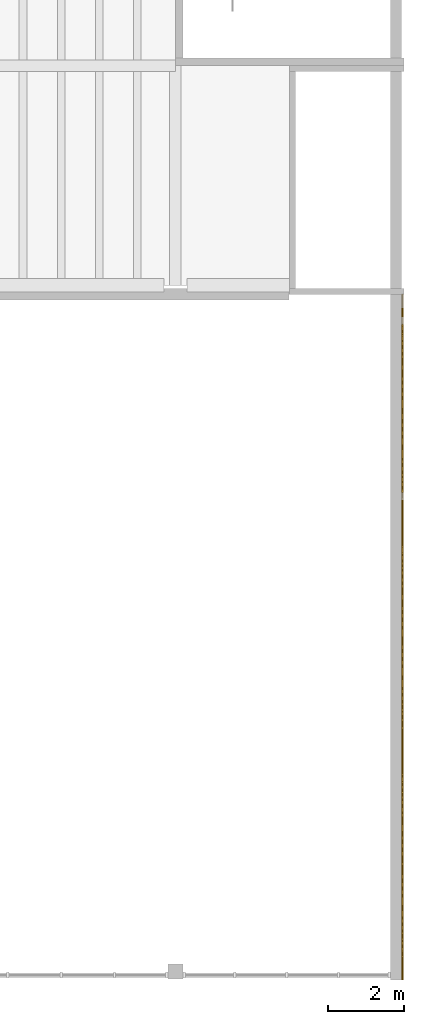
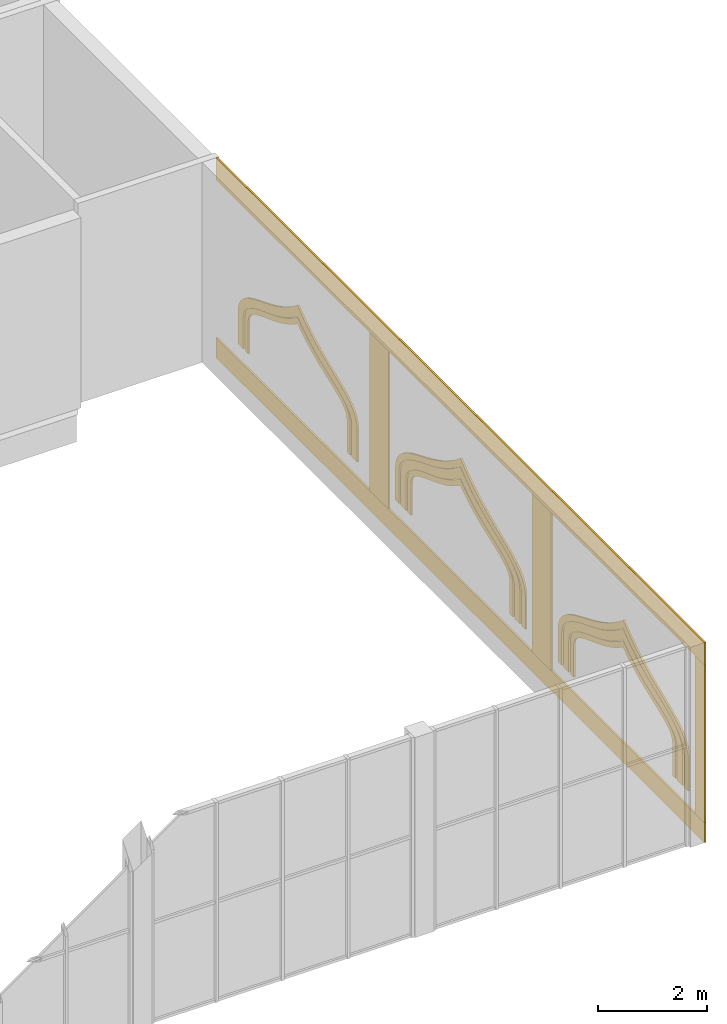
# One storey, part 59 of 70: 13 coverings.
"""IFC4 building model written with IfcOpenShell, lengths in metres."""

from ifc_helpers import new_model, si_unit, direction, frame, origin, origin_2d, place, context, subcontext, project, spatial, polyline, rectangle, outline, extrude, material, layer, layer_set, type_object, element, save


model = new_model("IFC4")

# Units and contexts
model_context = context("Model", 3, precision=1e-05, world=origin(), true_north=direction((0.0, 1.0)))
body_context = subcontext(model_context, "Body", "Model", "MODEL_VIEW")
ifc_project = project(units=[si_unit("LENGTHUNIT", "METRE"), si_unit("AREAUNIT", "SQUARE_METRE"), si_unit("VOLUMEUNIT", "CUBIC_METRE"), si_unit("PLANEANGLEUNIT", "RADIAN"), si_unit("MASSUNIT", "GRAM", prefix="KILO")], contexts=[model_context])

# Site, building, storey
site_placement = place(None, origin())
site = spatial("IfcSite", under=ifc_project, at=site_placement, CompositionType="ELEMENT")
building_placement = place(site_placement, origin())
building = spatial("IfcBuilding", under=site, at=building_placement, Name="Saffron Lane Theatres", CompositionType="ELEMENT")
storey_placement = place(building_placement, frame((0.0, 0.0, 12.0)))
storey = spatial("IfcBuildingStorey", under=building, at=storey_placement, Name="L02", CompositionType="ELEMENT", Elevation=12.0)

# Coverings
ifc_material_1 = material(Name="Face brick cladding, pale buff", Category="masonry")
ifc_layer_1 = layer(ifc_material_1, 0.0400390625)
ifc_layer_set_1 = layer_set([ifc_layer_1], Name="Face brick cladding, pale buff")
covering_type_1 = type_object("IfcCoveringType", Name="EX-FACE BRICK SKIN PALE BUFF 40", PredefinedType="CLADDING", material=ifc_layer_set_1)
covering_1_placement = place(storey_placement, frame((65.9599609375, 9.0, 0.0), z_axis=(0.0, 0.0, 1.0), x_axis=(0.0, 1.0, 0.0)))
element("IfcCovering", 1, at=covering_1_placement, inside=storey, type_object=covering_type_1, Name="Face brick cladding, pale buff L02", PredefinedType="CLADDING", context=body_context, shape_type="SweptSolid", body=[
    extrude(rectangle(XDim=18.0, YDim=0.0400390625, at=origin_2d()), origin(), (0.0, 0.0, 1.0), 0.449951171875),
])
covering_2_placement = place(storey_placement, frame((65.9599609375, 9.0, 4.0), z_axis=(0.0, 0.0, 1.0), x_axis=(0.0, 1.0, 0.0)))
element("IfcCovering", 2, at=covering_2_placement, inside=storey, type_object=covering_type_1, Name="Face brick cladding, pale buff L02", PredefinedType="CLADDING", context=body_context, shape_type="SweptSolid", body=[
    extrude(rectangle(XDim=18.0, YDim=0.0400390625, at=origin_2d()), origin(), (0.0, 0.0, 1.0), 0.5),
])
covering_3_placement = place(storey_placement, frame((65.9599609375, 0.175048828125, 0.4501953125), z_axis=(0.0, 0.0, 1.0), x_axis=(0.0, 1.0, 0.0)))
element("IfcCovering", 3, at=covering_3_placement, inside=storey, type_object=covering_type_1, Name="Face brick cladding, pale buff L02", PredefinedType="CLADDING", context=body_context, shape_type="SweptSolid", body=[
    extrude(rectangle(XDim=0.35009765625, YDim=0.0400390625, at=origin_2d()), origin(), (0.0, 0.0, 1.0), 3.550048828125),
])
for number, where, z_axis, x_axis, name in (
    (4, (65.9599609375, 6.0, 0.4501953125), (0.0, 0.0, 1.0), (0.0, 1.0, 0.0), "Face brick cladding, pale buff L02"),
    (5, (65.9599609375, 12.0, 0.4501953125), (0.0, 0.0, 1.0), (0.0, 1.0, 0.0), "Face brick cladding, pale buff L02"),
):
    element("IfcCovering", number, at=place(storey_placement, frame(where, z_axis=z_axis, x_axis=x_axis)), inside=storey, type_object=covering_type_1, Name=name, PredefinedType="CLADDING", context=body_context, shape_type="SweptSolid", body=[
        extrude(rectangle(XDim=0.699951171875, YDim=0.0400390625, at=origin_2d()), origin(), (0.0, 0.0, 1.0), 3.550048828125),
    ])
ifc_material_2 = material(Name="Face brick cladding, pale buff", Category="masonry")
ifc_layer_2 = layer(ifc_material_2, 0.0400390625)
ifc_layer_set_2 = layer_set([ifc_layer_2], Name="Face brick cladding, pale buff")
covering_type_2 = type_object("IfcCoveringType", Name="EX-NICHE FRAME RING FACE BRICK PALE BUFF", PredefinedType="CLADDING", material=ifc_layer_set_2)
covering_4_placement = place(storey_placement, frame((65.93994140625, 1.06005859375, 1.529052734375), z_axis=(-1.0, 0.0, 0.0), x_axis=(0.0, 0.125787163421, 0.992057251129)))
element("IfcCovering", 6, at=covering_4_placement, inside=storey, type_object=covering_type_2, Name="Court wall niche ring", PredefinedType="CLADDING", context=body_context, shape_type="SweptSolid", body=[
    extrude(outline(polyline([(0.0, 0.0), (0.10286783462729944, -1.734723475976807e-18), (0.2003058366133861, 0.02898943089024811), (0.28852048186243034, 0.08228128848391583), (0.36629033325911087, 0.1541241568385554), (0.4390324759984652, 0.24260070416356044), (0.507500747692938, 0.345892681090867), (0.5744445407107455, 0.46045224157820186), (0.6416479180870274, 0.5848227001853759), (0.7120787170630909, 0.7191199427867082), (0.7862758069545193, 0.8598303096728491), (0.8662040327603895, 1.0049820026922627), (0.9537702965426195, 1.154087142314066), (1.0502093622920772, 1.3032977380814992), (1.1557020119727, 1.4520986772832154), (1.2741507024021774, 1.5982724837141218), (1.4373464054824177, 1.7732259676027586), (1.3229792155464521, 1.9833728326633073), (1.244760306386786, 2.1544829615301575), (1.1797431160295304, 2.3249035694448104), (1.123595251063273, 2.4934613119297864), (1.0760130904972982, 2.6597024957871276), (1.0348405776399026, 2.8202090671537974), (0.9981093909157794, 2.974984502606025), (0.9634247487321284, 3.122609779612776), (0.9293879085859198, 3.259816916518256), (0.8931538722626247, 3.387458833357453), (0.8526314791601582, 3.50457020079729), (0.8042728832362467, 3.6084016264695515), (0.7468943102847225, 3.6973805390597287), (0.6747715775436027, 3.7710022555851634), (0.5876520538068722, 3.8233925210766304), (0.4880394533891911, 3.8490658776732425), (-0.2351741579078327, 3.9407652111630567), (-0.2502526484448383, 3.8218442857957298), (0.46496831410040995, 3.7311583742768346), (0.5400026794337924, 3.7115545403476755), (0.6001700459508014, 3.6756247044444676), (0.6527671677279272, 3.6226897753437015), (0.698940156062184, 3.5501434797319464), (0.7410530827896775, 3.4591626386629097), (0.77859431177529, 3.351534791747961), (0.8135356411705575, 3.229224783986177), (0.846849353461016, 3.0940780979260873), (0.8816568346714453, 2.9474216268286426), (0.9185073838461169, 2.7916466757104144), (0.960037984055158, 2.6281415573457427), (1.0091585296027163, 2.4585060762296007), (1.0668720127310223, 2.284827916387843), (1.1349966828081395, 2.107860915432915), (1.2162002326608894, 1.9292355876164828), (1.2905723102225393, 1.7918360801596331), (1.1842620856985966, 1.6773460511968898), (1.0610475886877535, 1.5246397580306266), (0.9510348104793215, 1.3712439439121653), (0.8516788972732567, 1.2164969004991457), (0.7617757948353858, 1.0644888197256537), (0.6807524475172019, 0.9165228382484054), (0.6061903171216689, 0.7748743752096529), (0.5358823571723834, 0.6415459385176266), (0.4698934637589638, 0.5189902527022867), (0.40553218745035335, 0.4092712451852531), (0.3423176018681286, 0.31441865705522143), (0.2788306844812543, 0.23682726990499206), (0.21601300801857182, 0.17810036480576727), (0.15186901772430933, 0.13996753843175677), (0.08463840716756255, 0.12019103454986238), (0.007085841785230041, 0.11993434733824601), (-0.7081351207600182, 0.21062025885714114), (-0.7232136112970238, 0.09169933348981403), (0.0, 0.0)])), origin(), (0.0, 0.0, -1.0), 0.0400390625),
])
covering_5_placement = place(storey_placement, frame((65.93994140625, 0.800048828125, 1.531005859375), z_axis=(-1.0, 0.0, 0.0), x_axis=(0.0, 0.124981281942, 0.992159099724)))
element("IfcCovering", 7, at=covering_5_placement, inside=storey, type_object=covering_type_2, Name="Court wall niche ring", PredefinedType="CLADDING", context=body_context, shape_type="SweptSolid", body=[
    extrude(outline(polyline([(0.0, 0.0), (0.12697213837489085, 0.0), (0.24997852453431715, 0.03298080651064107), (0.3595056719254136, 0.09374300291988652), (0.45676095681453616, 0.17819737668643526), (0.5452500891383669, 0.27901235606536234), (0.6263959139448547, 0.39576263666424205), (0.7061301600449148, 0.5247481641551519), (0.7862990991553347, 0.664998155443681), (0.8685354119348959, 0.8138462430364772), (0.9556542754712098, 0.9701995918059837), (1.0495611097740505, 1.131603547593268), (1.1510112291562355, 1.2962404739662412), (1.2636056380264804, 1.461442125707965), (1.3880691376893162, 1.6251486400436455), (1.5262174868532434, 1.786147007536166), (1.7363042432154532, 1.9986165951301107), (1.5855958009789675, 2.2575194704419133), (1.491569261797464, 2.446780394502173), (1.4115937282164914, 2.6362398878317443), (1.3434872854281097, 2.824204243755272), (1.286036923995202, 3.0088577035642547), (1.2350924053598944, 3.1885084383069255), (1.1894712330933568, 3.3615829156174892), (1.146718753036656, 3.526175715486171), (1.1038367100524615, 3.681926314984293), (1.0585821633162598, 3.826656554751089), (1.0089257630615434, 3.959883859824733), (0.9482034682785188, 4.079494852308206), (0.874931407902664, 4.18543038390852), (0.7838951435332473, 4.2714573511790705), (0.6729108826387414, 4.333913723694567), (0.5499054353411086, 4.365403148246339), (-0.1753202347204572, 4.45675909505642), (-0.20031038850718275, 4.25837572038026), (0.5130461907617923, 4.1685149109762225), (0.5988745887630316, 4.14663004257128), (0.6639156477958518, 4.110138831814989), (0.7223673053314565, 4.054546008440391), (0.7761044683713332, 3.977154691945845), (0.8252797019569147, 3.8791760140448814), (0.8698930060882013, 3.7606099747375006), (0.9121586863050064, 3.625360830791697), (0.953743691721572, 3.474941088556692), (0.9964961717782725, 3.3103482886880107), (1.0422375183543697, 3.1362743929983368), (1.0946011265904527, 2.9522617063633723), (1.1541038399038068, 2.7604597528591834), (1.2250789749020257, 2.5640137194937744), (1.3086480019973663, 2.3640126859475283), (1.4091728730821225, 2.16187574182122), (1.4863266575429295, 2.0301060196818823), (1.378903968861815, 1.9215872098569335), (1.2313890650156947, 1.750695586216104), (1.1008300051589897, 1.577668051995212), (0.9833530455319921, 1.404961139076778), (0.8782638978384575, 1.2348769365783012), (0.7817784796199506, 1.0686303316604855), (0.6942953377077843, 0.9113385905284419), (0.6120590249282231, 0.7624905029356456), (0.5344686697334693, 0.6270831607776483), (0.4599812527660143, 0.5065412868259859), (0.38735700702762876, 0.4027435435293195), (0.3154190692602435, 0.32002136977165624), (0.24416743946385833, 0.2583747655529961), (0.17375468267990626, 0.2190148625868687), (0.10169563174116798, 0.19979401452079415), (0.0131210629941348, 0.1998785120822032), (-0.7002355162748403, 0.28973932148624076), (-0.7252256700615658, 0.09135594681008097), (0.0, 0.0)])), origin(), (0.0, 0.0, -1.0), 0.0400390625),
])
covering_6_placement = place(storey_placement, frame((65.93994140625, 0.60009765625, 1.529052734375), z_axis=(-1.0, 0.0, 0.0), x_axis=(0.0, 0.1142904069, 0.993447383051)))
element("IfcCovering", 8, at=covering_6_placement, inside=storey, type_object=covering_type_2, Name="Court wall niche ring", PredefinedType="CLADDING", context=body_context, shape_type="SweptSolid", body=[
    extrude(outline(polyline([(0.0, 0.0), (0.1388492792656847, 0.0), (0.2696088548128292, 0.03435280127758979), (0.38778420831120713, 0.09816895170466255), (0.4935728066597587, 0.1867564660520517), (0.5907072035243214, 0.2962454223763962), (0.682649508774358, 0.42255126080070415), (0.7725527536549033, 0.5653112432171398), (0.8628530787126653, 0.7200673397441939), (0.9554908108676652, 0.8865963269308906), (1.0550849584516353, 1.060189048513373), (1.1614487864623173, 1.2413584891530183), (1.2782032368400602, 1.4252645634464545), (1.4071770247793973, 1.6107138844826956), (1.5503297946143773, 1.7955149989593715), (1.7109648241435755, 1.9763388725258713), (1.9322951685448566, 2.193432264117283), (1.7660452106718798, 2.4551145400411314), (1.6506687358280459, 2.6676919495089537), (1.5532209675803823, 2.8801727719066417), (1.4697289577773855, 3.090065060824744), (1.3977866151830554, 3.2956796157255868), (1.3353420011518824, 3.496269496600136), (1.2777696682141262, 3.6879433177116665), (1.2253679630975327, 3.871158257858812), (1.1725691778037226, 4.042377083895339), (1.1174329854126743, 4.201823019272223), (1.0565745457110323, 4.345707704460884), (0.9868408274537619, 4.474393877569155), (0.9039326328302404, 4.584689872523951), (0.803336126096215, 4.673674467048558), (0.6837935289606095, 4.736823093502039), (0.5485716307732833, 4.768353405952386), (-0.17565539212467307, 4.851671559029142), (-0.19164377180082215, 4.712695643382615), (0.5245794025520463, 4.630298287041135), (0.6344268042255539, 4.604636175696251), (0.7236754034085255, 4.557997499097641), (0.800384854508793, 4.489946542240035), (0.8682683937781672, 4.398581613031465), (0.9308332050521732, 4.284482233892733), (0.9867721433150001, 4.151239297453483), (1.0388368668757932, 3.9992734940636265), (1.0910282268174285, 3.831319310997622), (1.14354154365951, 3.649074534310487), (1.2006202093499159, 3.4552457483453045), (1.2650523706465087, 3.252706955033389), (1.3383490786020484, 3.0417758185165145), (1.424324449297152, 2.8256998107305122), (1.5258138498350813, 2.605627244620307), (1.6453628861086955, 2.384460025048585), (1.7535425510378928, 2.2139967245384384), (1.609479716364319, 2.0725524726551585), (1.442830531934789, 1.8843107121023825), (1.2940177597899682, 1.6930339711680689), (1.1612212702526687, 1.5021264074796), (1.0420521431215808, 1.314320361932094), (0.9331985150807832, 1.1307340981597673), (0.8335957819794677, 0.9549306058608891), (0.7410696615499556, 0.789371782134203), (0.6521022380600401, 0.6376571051266956), (0.5668888320293253, 0.5014843608933854), (0.4821540685906067, 0.384425124649887), (0.39531370702297125, 0.28751395123630025), (0.3085956890775053, 0.21516379656807177), (0.21829751039907963, 0.16509735216938012), (0.12078964352999957, 0.13994393272720115), (0.007984531131061172, 0.1398967123818024), (-0.7082386432218073, 0.22229406872328286), (-0.7242270228979564, 0.08331815307675605), (0.0, 0.0)])), origin(), (0.0, 0.0, -1.0), 0.0400390625),
])
covering_7_placement = place(storey_placement, frame((65.93994140625, 7.06005859375, 1.529052734375), z_axis=(-1.0, 0.0, 0.0), x_axis=(0.0, 0.125787163421, 0.992057251129)))
element("IfcCovering", 9, at=covering_7_placement, inside=storey, type_object=covering_type_2, Name="Court wall niche ring", PredefinedType="CLADDING", context=body_context, shape_type="SweptSolid", body=[
    extrude(outline(polyline([(0.0, 0.0), (0.10286783462729944, -1.734723475976807e-18), (0.2003058366133861, 0.02898943089024811), (0.28852048186243034, 0.08228128848391583), (0.36629033325911087, 0.1541241568385554), (0.4390324759984652, 0.24260070416356044), (0.507500747692938, 0.345892681090867), (0.5744445407107455, 0.46045224157820186), (0.6416479180870274, 0.5848227001853759), (0.7120787170630909, 0.7191199427867082), (0.7862758069545193, 0.8598303096728491), (0.8662040327603895, 1.0049820026922627), (0.9537702965426195, 1.154087142314066), (1.0502093622920772, 1.3032977380814992), (1.1557020119727, 1.4520986772832154), (1.2741507024021774, 1.5982724837141218), (1.4373464054824177, 1.7732259676027586), (1.3229792155464521, 1.9833728326633073), (1.244760306386786, 2.1544829615301575), (1.1797431160295304, 2.3249035694448104), (1.123595251063273, 2.4934613119297864), (1.0760130904972982, 2.6597024957871276), (1.0348405776399026, 2.8202090671537974), (0.9981093909157794, 2.974984502606025), (0.9634247487321284, 3.122609779612776), (0.9293879085859198, 3.259816916518256), (0.8931538722626247, 3.387458833357453), (0.8526314791601582, 3.50457020079729), (0.8042728832362467, 3.6084016264695515), (0.7468943102847225, 3.6973805390597287), (0.6747715775436027, 3.7710022555851634), (0.5876520538068722, 3.8233925210766304), (0.4880394533891911, 3.8490658776732425), (-0.2351741579078327, 3.9407652111630567), (-0.2502526484448383, 3.8218442857957298), (0.46496831410040995, 3.7311583742768346), (0.5400026794337924, 3.7115545403476755), (0.6001700459508014, 3.6756247044444676), (0.6527671677279272, 3.6226897753437015), (0.698940156062184, 3.5501434797319464), (0.7410530827896775, 3.4591626386629097), (0.77859431177529, 3.351534791747961), (0.8135356411705575, 3.229224783986177), (0.846849353461016, 3.0940780979260873), (0.8816568346714453, 2.9474216268286426), (0.9185073838461169, 2.7916466757104144), (0.960037984055158, 2.6281415573457427), (1.0091585296027163, 2.4585060762296007), (1.0667491737042443, 2.283859110478537), (1.1349966828081395, 2.107860915432915), (1.2162002326608894, 1.9292355876164828), (1.2905723102225393, 1.7918360801596331), (1.1842620856985966, 1.6773460511968898), (1.0610475886877535, 1.5246397580306266), (0.9510348104793215, 1.3712439439121653), (0.8516788972732567, 1.2164969004991457), (0.7617757948353858, 1.0644888197256537), (0.6807524475172019, 0.9165228382484054), (0.6061903171216689, 0.7748743752096529), (0.5358823571723834, 0.6415459385176266), (0.4698934637589638, 0.5189902527022867), (0.40553218745035335, 0.4092712451852531), (0.3423176018681286, 0.31441865705522143), (0.2788306844812543, 0.23682726990499206), (0.21601300801857182, 0.17810036480576727), (0.15186901772430933, 0.13996753843175677), (0.08463840716756255, 0.12019103454986238), (0.007085841785230041, 0.11993434733824601), (-0.7081351207600182, 0.21062025885714114), (-0.7232136112970238, 0.09169933348981403), (0.0, 0.0)])), origin(), (0.0, 0.0, -1.0), 0.0400390625),
])
covering_8_placement = place(storey_placement, frame((65.93994140625, 6.800048828125, 1.531005859375), z_axis=(-1.0, 0.0, 0.0), x_axis=(0.0, 0.124981281942, 0.992159099724)))
element("IfcCovering", 10, at=covering_8_placement, inside=storey, type_object=covering_type_2, Name="Court wall niche ring", PredefinedType="CLADDING", context=body_context, shape_type="SweptSolid", body=[
    extrude(outline(polyline([(0.0, 0.0), (0.12697213837489085, 0.0), (0.24997852453431715, 0.03298080651064107), (0.3595056719254136, 0.09374300291988652), (0.45676095681453616, 0.17819737668643526), (0.5452500891383669, 0.27901235606536234), (0.6263959139448547, 0.39576263666424205), (0.7061301600449148, 0.5247481641551519), (0.7862990991553347, 0.664998155443681), (0.8685354119348959, 0.8138462430364772), (0.9556542754712098, 0.9701995918059837), (1.0495611097740505, 1.131603547593268), (1.1510112291562355, 1.2962404739662412), (1.2636056380264804, 1.461442125707965), (1.3880691376893162, 1.6251486400436455), (1.526095434820097, 1.7851781021653423), (1.7363042432154532, 1.9986165951301107), (1.5855958009789675, 2.2575194704419133), (1.491569261797464, 2.446780394502173), (1.4115937282164914, 2.6362398878317443), (1.3434872854281097, 2.824204243755272), (1.286036923995202, 3.0088577035642547), (1.2350924053598944, 3.1885084383069255), (1.1894712330933568, 3.3615829156174892), (1.146718753036656, 3.526175715486171), (1.1038367100524615, 3.681926314984293), (1.0585821633162598, 3.826656554751089), (1.0089257630615434, 3.959883859824733), (0.9482034682785188, 4.079494852308206), (0.874931407902664, 4.18543038390852), (0.7838951435332473, 4.2714573511790705), (0.6729108826387414, 4.333913723694567), (0.5499054353411086, 4.365403148246339), (-0.1753202347204572, 4.45675909505642), (-0.20031038850718275, 4.25837572038026), (0.5130461907617923, 4.1685149109762225), (0.5988745887630316, 4.14663004257128), (0.6639156477958518, 4.110138831814989), (0.7223673053314565, 4.054546008440391), (0.7761044683713332, 3.977154691945845), (0.8252797019569147, 3.8791760140448814), (0.8698930060882013, 3.7606099747375006), (0.9121586863050064, 3.625360830791697), (0.953743691721572, 3.474941088556692), (0.9964961717782725, 3.3103482886880107), (1.0422375183543697, 3.1362743929983368), (1.0946011265904527, 2.9522617063633723), (1.1541038399038068, 2.7604597528591834), (1.2250789749020257, 2.5640137194937744), (1.3086480019973663, 2.3640126859475283), (1.4091728730821225, 2.16187574182122), (1.4863266575429295, 2.0301060196818823), (1.378903968861815, 1.9215872098569335), (1.2313890650156947, 1.750695586216104), (1.1008300051589897, 1.577668051995212), (0.9833530455319921, 1.404961139076778), (0.8781418458053111, 1.2339080312074775), (0.7817784796199506, 1.0686303316604855), (0.6942953377077843, 0.9113385905284419), (0.6120590249282231, 0.7624905029356456), (0.5344686697334693, 0.6270831607776483), (0.4599812527660143, 0.5065412868259859), (0.38735700702762876, 0.4027435435293195), (0.3154190692602435, 0.32002136977165624), (0.24416743946385833, 0.2583747655529961), (0.17375468267990626, 0.2190148625868687), (0.10169563174116798, 0.19979401452079415), (0.0131210629941348, 0.1998785120822032), (-0.7002355162748403, 0.28973932148624076), (-0.7252256700615658, 0.09135594681008097), (0.0, 0.0)])), origin(), (0.0, 0.0, -1.0), 0.0400390625),
])
covering_9_placement = place(storey_placement, frame((65.93994140625, 6.60009765625, 1.529052734375), z_axis=(-1.0, 0.0, 0.0), x_axis=(0.0, 0.1142904069, 0.993447383051)))
element("IfcCovering", 11, at=covering_9_placement, inside=storey, type_object=covering_type_2, Name="Court wall niche ring", PredefinedType="CLADDING", context=body_context, shape_type="SweptSolid", body=[
    extrude(outline(polyline([(0.0, 0.0), (0.1388492792656847, 0.0), (0.2696088548128292, 0.03435280127758979), (0.38778420831120713, 0.09816895170466255), (0.4935728066597587, 0.1867564660520517), (0.5907072035243214, 0.2962454223763962), (0.682649508774358, 0.42255126080070415), (0.7725527536549033, 0.5653112432171398), (0.8628530787126653, 0.7200673397441939), (0.9554908108676652, 0.8865963269308906), (1.0550849584516353, 1.060189048513373), (1.1613371747368293, 1.2403883256930075), (1.2782032368400602, 1.4252645634464545), (1.4071770247793973, 1.6107138844826956), (1.5503297946143773, 1.7955149989593715), (1.7109648241435755, 1.9763388725258713), (1.9322951685448566, 2.193432264117283), (1.7660452106718798, 2.4551145400411314), (1.6506687358280459, 2.6676919495089537), (1.5532209675803823, 2.8801727719066417), (1.4697289577773855, 3.090065060824744), (1.3977866151830554, 3.2956796157255868), (1.3353420011518824, 3.496269496600136), (1.2777696682141262, 3.6879433177116665), (1.2253679630975327, 3.871158257858812), (1.1725691778037226, 4.042377083895339), (1.1174329854126743, 4.201823019272223), (1.0565745457110323, 4.345707704460884), (0.9868408274537619, 4.474393877569155), (0.9039326328302404, 4.584689872523951), (0.803336126096215, 4.673674467048558), (0.6837935289606095, 4.736823093502039), (0.5485716307732833, 4.768353405952386), (-0.17565539212467307, 4.851671559029142), (-0.19164377180082215, 4.712695643382615), (0.5245794025520463, 4.630298287041135), (0.6344268042255539, 4.604636175696251), (0.7236754034085255, 4.557997499097641), (0.8002453398519331, 4.488733837915022), (0.8682683937781672, 4.398581613031465), (0.9308332050521732, 4.284482233892733), (0.9867721433150001, 4.151239297453483), (1.0388368668757932, 3.9992734940636265), (1.0910282268174285, 3.831319310997622), (1.14354154365951, 3.649074534310487), (1.2006202093499159, 3.4552457483453045), (1.2650523706465087, 3.252706955033389), (1.3383490786020484, 3.0417758185165145), (1.424324449297152, 2.8256998107305122), (1.5258138498350813, 2.605627244620307), (1.6453628861086955, 2.384460025048585), (1.7535425510378928, 2.2139967245384384), (1.609479716364319, 2.0725524726551585), (1.442830531934789, 1.8843107121023825), (1.2940177597899682, 1.6930339711680689), (1.1612212702526687, 1.5021264074796), (1.0419405313960928, 1.3133501984720835), (0.9331985150807832, 1.1307340981597673), (0.8335957819794677, 0.9549306058608891), (0.7410696615499556, 0.789371782134203), (0.6521022380600401, 0.6376571051266956), (0.5668888320293253, 0.5014843608933854), (0.4821540685906067, 0.384425124649887), (0.39531370702297125, 0.28751395123630025), (0.3084561744206454, 0.21395109224305847), (0.21829751039907963, 0.16509735216938012), (0.12078964352999957, 0.13994393272720115), (0.007984531131061172, 0.1398967123818024), (-0.7082386432218073, 0.22229406872328286), (-0.7242270228979564, 0.08331815307675605), (0.0, 0.0)])), origin(), (0.0, 0.0, -1.0), 0.0400390625),
])
covering_10_placement = place(storey_placement, frame((65.93994140625, 13.06005859375, 1.529052734375), z_axis=(-1.0, 0.0, 0.0), x_axis=(0.0, 0.125787163421, 0.992057251129)))
element("IfcCovering", 12, at=covering_10_placement, inside=storey, type_object=covering_type_2, Name="Court wall niche ring", PredefinedType="CLADDING", context=body_context, shape_type="SweptSolid", body=[
    extrude(outline(polyline([(0.0, 0.0), (0.10286783462729944, -1.734723475976807e-18), (0.2003058366133861, 0.02898943089024811), (0.28852048186243034, 0.08228128848391583), (0.36629033325911087, 0.1541241568385554), (0.4390324759984652, 0.24260070416356044), (0.507500747692938, 0.345892681090867), (0.5744445407107455, 0.46045224157820186), (0.6416479180870274, 0.5848227001853759), (0.7120787170630909, 0.7191199427867082), (0.7862758069545193, 0.8598303096728491), (0.8662040327603895, 1.0049820026922627), (0.9537702965426195, 1.154087142314066), (1.0502093622920772, 1.3032977380814992), (1.1557020119727, 1.4520986772832154), (1.2741507024021774, 1.5982724837141218), (1.4373464054824177, 1.7732259676027586), (1.3229792155464521, 1.9833728326633073), (1.244760306386786, 2.1544829615301575), (1.1797431160295304, 2.3249035694448104), (1.123595251063273, 2.4934613119297864), (1.0760130904972982, 2.6597024957871276), (1.0348405776399026, 2.8202090671537974), (0.9981093909157794, 2.974984502606025), (0.9634247487321284, 3.122609779612776), (0.9293879085859198, 3.259816916518256), (0.8931538722626247, 3.387458833357453), (0.8526314791601582, 3.50457020079729), (0.8042728832362467, 3.6084016264695515), (0.7468943102847225, 3.6973805390597287), (0.6747715775436027, 3.7710022555851634), (0.5876520538068722, 3.8233925210766304), (0.4880394533891911, 3.8490658776732425), (-0.2351741579078327, 3.9407652111630567), (-0.2502526484448383, 3.8218442857957298), (0.46496831410040995, 3.7311583742768346), (0.5400026794337924, 3.7115545403476755), (0.6001700459508014, 3.6756247044444676), (0.6527671677279272, 3.6226897753437015), (0.698940156062184, 3.5501434797319464), (0.7410530827896775, 3.4591626386629097), (0.77859431177529, 3.351534791747961), (0.8135356411705575, 3.229224783986177), (0.846849353461016, 3.0940780979260873), (0.8816568346714453, 2.9474216268286426), (0.9185073838461169, 2.7916466757104144), (0.960037984055158, 2.6281415573457427), (1.0091585296027163, 2.4585060762296007), (1.0667491737042443, 2.283859110478537), (1.1349966828081395, 2.107860915432915), (1.2162002326608894, 1.9292355876164828), (1.2905723102225393, 1.7918360801596331), (1.1842620856985966, 1.6773460511968898), (1.0610475886877535, 1.5246397580306266), (0.9510348104793215, 1.3712439439121653), (0.8516788972732567, 1.2164969004991457), (0.7617757948353858, 1.0644888197256537), (0.6807524475172019, 0.9165228382484054), (0.6061903171216689, 0.7748743752096529), (0.5358823571723834, 0.6415459385176266), (0.4698934637589638, 0.5189902527022867), (0.40553218745035335, 0.4092712451852531), (0.3423176018681286, 0.31441865705522143), (0.2788306844812543, 0.23682726990499206), (0.21601300801857182, 0.17810036480576727), (0.15186901772430933, 0.13996753843175677), (0.08463840716756255, 0.12019103454986238), (0.007085841785230041, 0.11993434733824601), (-0.7081351207600182, 0.21062025885714114), (-0.7232136112970238, 0.09169933348981403), (0.0, 0.0)])), origin(), (0.0, 0.0, -1.0), 0.0400390625),
])
covering_11_placement = place(storey_placement, frame((65.93994140625, 12.800048828125, 1.531005859375), z_axis=(-1.0, 0.0, 0.0), x_axis=(0.0, 0.124981281942, 0.992159099724)))
element("IfcCovering", 13, at=covering_11_placement, inside=storey, type_object=covering_type_2, Name="Court wall niche ring", PredefinedType="CLADDING", context=body_context, shape_type="SweptSolid", body=[
    extrude(outline(polyline([(0.0, 0.0), (0.12697213837489085, 0.0), (0.24997852453431715, 0.03298080651064107), (0.3595056719254136, 0.09374300291988652), (0.45676095681453616, 0.17819737668643526), (0.5452500891383669, 0.27901235606536234), (0.6263959139448547, 0.39576263666424205), (0.7061301600449148, 0.5247481641551519), (0.7862990991553347, 0.664998155443681), (0.8685354119348959, 0.8138462430364772), (0.9556542754712098, 0.9701995918059837), (1.0495611097740505, 1.131603547593268), (1.1510112291562355, 1.2962404739662412), (1.2636056380264804, 1.461442125707965), (1.3880691376893162, 1.6251486400436455), (1.526095434820097, 1.7851781021653423), (1.7363042432154532, 1.9986165951301107), (1.5855958009789675, 2.2575194704419133), (1.491569261797464, 2.446780394502173), (1.4115937282164914, 2.6362398878317443), (1.3434872854281097, 2.824204243755272), (1.286036923995202, 3.0088577035642547), (1.2350924053598944, 3.1885084383069255), (1.1894712330933568, 3.3615829156174892), (1.146718753036656, 3.526175715486171), (1.1038367100524615, 3.681926314984293), (1.0585821633162598, 3.826656554751089), (1.0089257630615434, 3.959883859824733), (0.9482034682785188, 4.079494852308206), (0.874931407902664, 4.18543038390852), (0.7838951435332473, 4.2714573511790705), (0.6729108826387414, 4.333913723694567), (0.5499054353411086, 4.365403148246339), (-0.1753202347204572, 4.45675909505642), (-0.20031038850718275, 4.25837572038026), (0.5130461907617923, 4.1685149109762225), (0.5988745887630316, 4.14663004257128), (0.6639156477958518, 4.110138831814989), (0.7223673053314565, 4.054546008440391), (0.7761044683713332, 3.977154691945845), (0.8252797019569147, 3.8791760140448814), (0.8698930060882013, 3.7606099747375006), (0.9121586863050064, 3.625360830791697), (0.953743691721572, 3.474941088556692), (0.9964961717782725, 3.3103482886880107), (1.0422375183543697, 3.1362743929983368), (1.0946011265904527, 2.9522617063633723), (1.1541038399038068, 2.7604597528591834), (1.2250789749020257, 2.5640137194937744), (1.3086480019973663, 2.3640126859475283), (1.4091728730821225, 2.16187574182122), (1.4863266575429295, 2.0301060196818823), (1.378903968861815, 1.9215872098569335), (1.2313890650156947, 1.750695586216104), (1.1008300051589897, 1.577668051995212), (0.9833530455319921, 1.404961139076778), (0.8781418458053111, 1.2339080312074775), (0.7817784796199506, 1.0686303316604855), (0.6942953377077843, 0.9113385905284419), (0.6120590249282231, 0.7624905029356456), (0.5344686697334693, 0.6270831607776483), (0.4599812527660143, 0.5065412868259859), (0.38735700702762876, 0.4027435435293195), (0.3154190692602435, 0.32002136977165624), (0.24416743946385833, 0.2583747655529961), (0.17375468267990626, 0.2190148625868687), (0.10169563174116798, 0.19979401452079415), (0.0131210629941348, 0.1998785120822032), (-0.7002355162748403, 0.28973932148624076), (-0.7252256700615658, 0.09135594681008097), (0.0, 0.0)])), origin(), (0.0, 0.0, -1.0), 0.0400390625),
])

save(model, "model.ifc")
